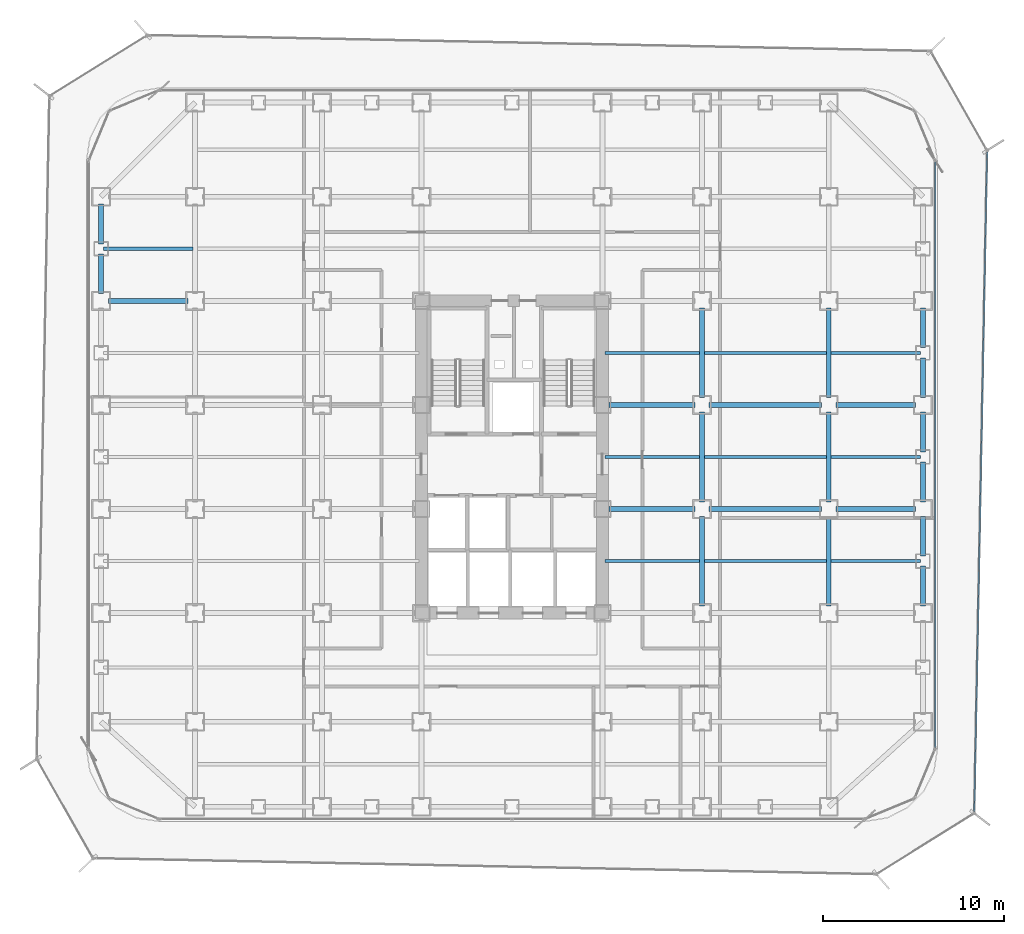
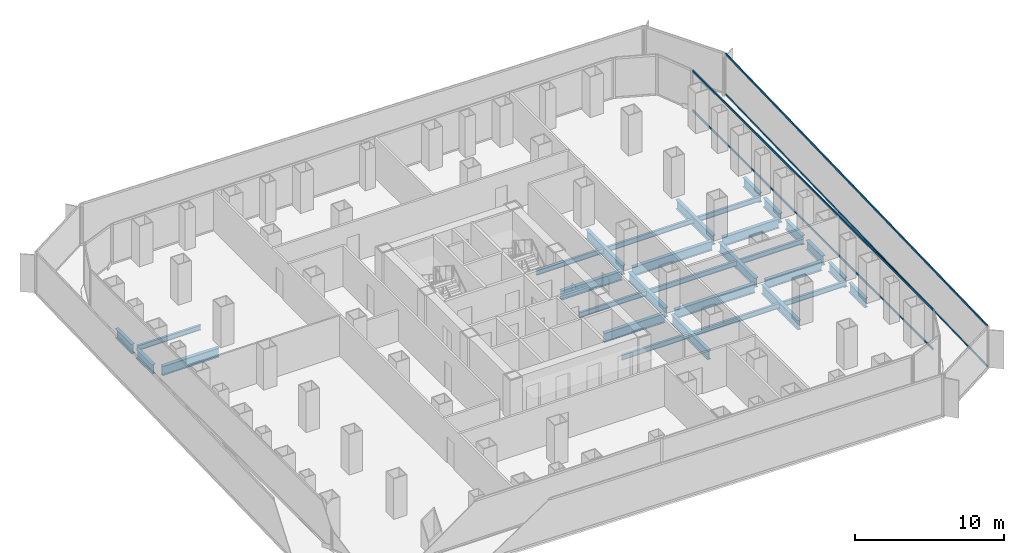
# One storey, part 9 of 21: 31 beams, 4 members, 2 elements without a shape of their own.
"""IFC4 building model written with IfcOpenShell, lengths in metres."""

from ifc_helpers import new_model, si_unit, direction, frame, origin, origin_2d, place, context, subcontext, project, spatial, hollow_rectangle, i_section, extrude, source, transform, mapped, material, layer, layer_set, material_profile, profile_set, type_object, element, aggregate, save


model = new_model("IFC4")

# Units and contexts
model_context = context("Model", 3, precision=1e-05, world=origin(), true_north=direction((0.0, 1.0)))
body_context = subcontext(model_context, "Body", "Model", "MODEL_VIEW")
ifc_project = project(units=[si_unit("LENGTHUNIT", "METRE"), si_unit("AREAUNIT", "SQUARE_METRE"), si_unit("VOLUMEUNIT", "CUBIC_METRE"), si_unit("PLANEANGLEUNIT", "RADIAN"), si_unit("MASSUNIT", "GRAM", prefix="KILO")], contexts=[model_context])

# Site, building, storey
site_placement = place(None, origin())
site = spatial("IfcSite", under=ifc_project, at=site_placement, CompositionType="ELEMENT")
building_placement = place(site_placement, origin())
building = spatial("IfcBuilding", under=site, at=building_placement, Name="Kolveth Station Tower", CompositionType="ELEMENT")
storey_placement = place(building_placement, frame((0.0, 0.0, 62.10009765625)))
storey = spatial("IfcBuildingStorey", under=building, at=storey_placement, Name="L16", CompositionType="ELEMENT", Elevation=62.10009765625)

# Beams
ifc_material_1 = material(Name="Steel S355", Category="steel")
ifc_material_profile_1 = material_profile(ifc_material_1, i_section(OverallWidth=0.26904296875, OverallDepth=0.77490234375, WebThickness=0.01708984375, FlangeThickness=0.0283203125, at=origin_2d()), Name="W760x220")
ifc_profile_set_1 = profile_set([ifc_material_profile_1], Name="Steel S355")
beam_type_1 = type_object("IfcBeamType", Name="Beam_SP1", PredefinedType="SPANDREL", material=ifc_profile_set_1)
shared_shape_1 = source(origin(), body_context, "Body", "SweptSolid", [
    extrude(i_section(OverallWidth=0.26904296875, OverallDepth=0.77490234375, WebThickness=0.01708984375, FlangeThickness=0.0283203125, at=origin_2d()), origin(), (0.0, 0.0, 1.0), 2.2001953125),
])
for number, where, z_axis, x_axis, name in (
    (1, (0.800048828125, 31.89990234375, -0.66748046875), (0.0, 1.0, 0.0), (-1.0, 0.0, 0.0), "L16 Perimeter Spandrel BM-L16-PW-10"),
    (2, (46.199951171875, 11.89990234375, -0.66748046875), (0.0, 1.0, 0.0), (-1.0, 0.0, 0.0), "L16 Perimeter Spandrel BM-L16-PE-3"),
    (3, (46.199951171875, 20.39990234375, -0.66748046875), (0.0, 1.0, 0.0), (-1.0, 0.0, 0.0), "L16 Perimeter Spandrel BM-L16-PE-6"),
    (4, (46.199951171875, 23.39990234375, -0.66748046875), (0.0, 1.0, 0.0), (-1.0, 0.0, 0.0), "L16 Perimeter Spandrel BM-L16-PE-7"),
):
    element("IfcBeam", number, at=place(storey_placement, frame(where, z_axis=z_axis, x_axis=x_axis)), inside=storey, type_object=beam_type_1, Name=name, PredefinedType="SPANDREL", context=body_context, shape_type="MappedRepresentation", body=[
        mapped(shared_shape_1, transform((0.0, 0.0, 0.0), x_axis=(1.0, 0.0, 0.0), y_axis=(0.0, 1.0, 0.0), z_axis=(0.0, 0.0, 1.0), scale=1.0)),
    ])
shared_shape_2 = source(origin(), body_context, "Body", "SweptSolid", [
    extrude(i_section(OverallWidth=0.26904296875, OverallDepth=0.77490234375, WebThickness=0.01708984375, FlangeThickness=0.0283203125, at=origin_2d()), origin(), (0.0, 0.0, 1.0), 2.190185546875),
])
for number, where, z_axis, x_axis, name in (
    (5, (0.800048828125, 29.14990234375, -0.66748046875), (0.0, 1.0, 0.0), (-1.0, 0.0, 0.0), "L16 Perimeter Spandrel BM-L16-PW-9"),
    (6, (46.199951171875, 14.659912109375, -0.66748046875), (0.0, 1.0, 0.0), (-1.0, 0.0, 0.0), "L16 Perimeter Spandrel BM-L16-PE-4"),
    (7, (46.199951171875, 17.64990234375, -0.66748046875), (0.0, 1.0, 0.0), (-1.0, 0.0, 0.0), "L16 Perimeter Spandrel BM-L16-PE-5"),
    (8, (46.199951171875, 26.159912109375, -0.66748046875), (0.0, 1.0, 0.0), (-1.0, 0.0, 0.0), "L16 Perimeter Spandrel BM-L16-PE-8"),
):
    element("IfcBeam", number, at=place(storey_placement, frame(where, z_axis=z_axis, x_axis=x_axis)), inside=storey, type_object=beam_type_1, Name=name, PredefinedType="SPANDREL", context=body_context, shape_type="MappedRepresentation", body=[
        mapped(shared_shape_2, transform((0.0, 0.0, 0.0), x_axis=(1.0, 0.0, 0.0), y_axis=(0.0, 1.0, 0.0), z_axis=(0.0, 0.0, 1.0), scale=1.0)),
    ])
ifc_material_profile_2 = material_profile(ifc_material_1, i_section(OverallWidth=0.26708984375, OverallDepth=0.76611328125, WebThickness=0.014892578125, FlangeThickness=0.023681640625, at=origin_2d()), Name="W760x185")
ifc_profile_set_2 = profile_set([ifc_material_profile_2], Name="Steel S355")
beam_type_2 = type_object("IfcBeamType", Name="Beam_B3", PredefinedType="BEAM", material=ifc_profile_set_2)
shared_shape_3 = source(origin(), body_context, "Body", "SweptSolid", [
    extrude(i_section(OverallWidth=0.26708984375, OverallDepth=0.76611328125, WebThickness=0.014892578125, FlangeThickness=0.023681640625, at=origin_2d()), origin(), (0.0, 0.0, 1.0), 4.400146484375),
])
for number, where, z_axis, x_axis, name in (
    (9, (41.39990234375, 17.25, -0.6630859375), (1.0, 0.0, 0.0), (0.0, 1.0, 0.0), "L16 Primary Girder BM-L16-GY172-7"),
    (10, (41.39990234375, 23.0, -0.6630859375), (1.0, 0.0, 0.0), (0.0, 1.0, 0.0), "L16 Primary Girder BM-L16-GY230-7"),
    (11, (1.199951171875, 28.75, -0.6630859375), (1.0, 0.0, 0.0), (0.0, 1.0, 0.0), "L16 Primary Girder BM-L16-GY287-1"),
):
    element("IfcBeam", number, at=place(storey_placement, frame(where, z_axis=z_axis, x_axis=x_axis)), inside=storey, type_object=beam_type_2, Name=name, PredefinedType="BEAM", context=body_context, shape_type="MappedRepresentation", body=[
        mapped(shared_shape_3, transform((0.0, 0.0, 0.0), x_axis=(1.0, 0.0, 0.0), y_axis=(0.0, 1.0, 0.0), z_axis=(0.0, 0.0, 1.0), scale=1.0)),
    ])
shared_shape_4 = source(origin(), body_context, "Body", "SweptSolid", [
    extrude(i_section(OverallWidth=0.26708984375, OverallDepth=0.76611328125, WebThickness=0.014892578125, FlangeThickness=0.023681640625, at=origin_2d()), origin(), (0.0, 0.0, 1.0), 6.2001953125),
])
for number, where, z_axis, x_axis, name in (
    (12, (34.39990234375, 17.25, -0.6630859375), (1.0, 0.0, 0.0), (0.0, 1.0, 0.0), "L16 Primary Girder BM-L16-GY172-6"),
    (13, (34.39990234375, 23.0, -0.6630859375), (1.0, 0.0, 0.0), (0.0, 1.0, 0.0), "L16 Primary Girder BM-L16-GY230-6"),
):
    element("IfcBeam", number, at=place(storey_placement, frame(where, z_axis=z_axis, x_axis=x_axis)), inside=storey, type_object=beam_type_2, Name=name, PredefinedType="BEAM", context=body_context, shape_type="MappedRepresentation", body=[
        mapped(shared_shape_4, transform((0.0, 0.0, 0.0), x_axis=(1.0, 0.0, 0.0), y_axis=(0.0, 1.0, 0.0), z_axis=(0.0, 0.0, 1.0), scale=1.0)),
    ])
shared_shape_5 = source(origin(), body_context, "Body", "SweptSolid", [
    extrude(i_section(OverallWidth=0.26708984375, OverallDepth=0.76611328125, WebThickness=0.014892578125, FlangeThickness=0.023681640625, at=origin_2d()), origin(), (0.0, 0.0, 1.0), 4.739990234375),
])
for number, where, z_axis, x_axis, name in (
    (14, (28.860107421875, 17.25, -0.6630859375), (1.0, 0.0, 0.0), (0.0, 1.0, 0.0), "L16 Primary Girder BM-L16-GY172-5"),
    (15, (28.860107421875, 23.0, -0.6630859375), (1.0, 0.0, 0.0), (0.0, 1.0, 0.0), "L16 Primary Girder BM-L16-GY230-5"),
):
    element("IfcBeam", number, at=place(storey_placement, frame(where, z_axis=z_axis, x_axis=x_axis)), inside=storey, type_object=beam_type_2, Name=name, PredefinedType="BEAM", context=body_context, shape_type="MappedRepresentation", body=[
        mapped(shared_shape_5, transform((0.0, 0.0, 0.0), x_axis=(1.0, 0.0, 0.0), y_axis=(0.0, 1.0, 0.0), z_axis=(0.0, 0.0, 1.0), scale=1.0)),
    ])
shared_shape_6 = source(origin(), body_context, "Body", "SweptSolid", [
    extrude(i_section(OverallWidth=0.26708984375, OverallDepth=0.76611328125, WebThickness=0.014892578125, FlangeThickness=0.023681640625, at=origin_2d()), origin(), (0.0, 0.0, 1.0), 4.9501953125),
])
for number, where, z_axis, x_axis, name in (
    (16, (34.0, 11.89990234375, -0.6630859375), (0.0, 1.0, 0.0), (-1.0, 0.0, 0.0), "L16 Primary Girder BM-L16-GX340-3"),
    (17, (34.0, 17.64990234375, -0.6630859375), (0.0, 1.0, 0.0), (-1.0, 0.0, 0.0), "L16 Primary Girder BM-L16-GX340-4"),
    (18, (34.0, 23.39990234375, -0.6630859375), (0.0, 1.0, 0.0), (-1.0, 0.0, 0.0), "L16 Primary Girder BM-L16-GX340-5"),
    (19, (41.0, 11.89990234375, -0.6630859375), (0.0, 1.0, 0.0), (-1.0, 0.0, 0.0), "L16 Primary Girder BM-L16-GX410-3"),
    (20, (41.0, 17.64990234375, -0.6630859375), (0.0, 1.0, 0.0), (-1.0, 0.0, 0.0), "L16 Primary Girder BM-L16-GX410-4"),
    (21, (41.0, 23.39990234375, -0.6630859375), (0.0, 1.0, 0.0), (-1.0, 0.0, 0.0), "L16 Primary Girder BM-L16-GX410-5"),
):
    element("IfcBeam", number, at=place(storey_placement, frame(where, z_axis=z_axis, x_axis=x_axis)), inside=storey, type_object=beam_type_2, Name=name, PredefinedType="BEAM", context=body_context, shape_type="MappedRepresentation", body=[
        mapped(shared_shape_6, transform((0.0, 0.0, 0.0), x_axis=(1.0, 0.0, 0.0), y_axis=(0.0, 1.0, 0.0), z_axis=(0.0, 0.0, 1.0), scale=1.0)),
    ])
ifc_material_profile_3 = material_profile(ifc_material_1, i_section(OverallWidth=0.177978515625, OverallDepth=0.406982421875, WebThickness=0.0078125, FlangeThickness=0.0126953125, at=origin_2d()), Name="W410x60")
ifc_profile_set_3 = profile_set([ifc_material_profile_3], Name="Steel S355")
beam_type_3 = type_object("IfcBeamType", Name="Beam_J1", PredefinedType="JOIST", material=ifc_profile_set_3)
shared_shape_7 = source(origin(), body_context, "Body", "SweptSolid", [
    extrude(i_section(OverallWidth=0.177978515625, OverallDepth=0.406982421875, WebThickness=0.0078125, FlangeThickness=0.0126953125, at=origin_2d()), origin(), (0.0, 0.0, 1.0), 4.935791015625),
])
for number, where, z_axis, x_axis, name in (
    (22, (0.9326171875, 31.625, -0.483642578125), (1.0, 0.0, 0.0), (0.0, 1.0, 0.0), "L16 Secondary Joist JST-L16-1-6"),
    (23, (41.131591796875, 14.375, -0.483642578125), (1.0, 0.0, 0.0), (0.0, 1.0, 0.0), "L16 Secondary Joist JST-L16-7-3"),
    (24, (41.131591796875, 20.125, -0.483642578125), (1.0, 0.0, 0.0), (0.0, 1.0, 0.0), "L16 Secondary Joist JST-L16-7-4"),
    (25, (41.131591796875, 25.875, -0.483642578125), (1.0, 0.0, 0.0), (0.0, 1.0, 0.0), "L16 Secondary Joist JST-L16-7-5"),
):
    element("IfcBeam", number, at=place(storey_placement, frame(where, z_axis=z_axis, x_axis=x_axis)), inside=storey, type_object=beam_type_3, Name=name, PredefinedType="JOIST", context=body_context, shape_type="MappedRepresentation", body=[
        mapped(shared_shape_7, transform((0.0, 0.0, 0.0), x_axis=(1.0, 0.0, 0.0), y_axis=(0.0, 1.0, 0.0), z_axis=(0.0, 0.0, 1.0), scale=1.0)),
    ])
shared_shape_8 = source(origin(), body_context, "Body", "SweptSolid", [
    extrude(i_section(OverallWidth=0.177978515625, OverallDepth=0.406982421875, WebThickness=0.0078125, FlangeThickness=0.0126953125, at=origin_2d()), origin(), (0.0, 0.0, 1.0), 6.73681640625),
])
for number, where, z_axis, x_axis, name in (
    (26, (34.131591796875, 14.375, -0.483642578125), (1.0, 0.0, 0.0), (0.0, 1.0, 0.0), "L16 Secondary Joist JST-L16-6-3"),
    (27, (34.131591796875, 20.125, -0.483642578125), (1.0, 0.0, 0.0), (0.0, 1.0, 0.0), "L16 Secondary Joist JST-L16-6-4"),
    (28, (34.131591796875, 25.875, -0.483642578125), (1.0, 0.0, 0.0), (0.0, 1.0, 0.0), "L16 Secondary Joist JST-L16-6-5"),
):
    element("IfcBeam", number, at=place(storey_placement, frame(where, z_axis=z_axis, x_axis=x_axis)), inside=storey, type_object=beam_type_3, Name=name, PredefinedType="JOIST", context=body_context, shape_type="MappedRepresentation", body=[
        mapped(shared_shape_8, transform((0.0, 0.0, 0.0), x_axis=(1.0, 0.0, 0.0), y_axis=(0.0, 1.0, 0.0), z_axis=(0.0, 0.0, 1.0), scale=1.0)),
    ])
shared_shape_9 = source(origin(), body_context, "Body", "SweptSolid", [
    extrude(i_section(OverallWidth=0.177978515625, OverallDepth=0.406982421875, WebThickness=0.0078125, FlangeThickness=0.0126953125, at=origin_2d()), origin(), (0.0, 0.0, 1.0), 5.23681640625),
])
for number, where, z_axis, x_axis, name in (
    (29, (28.631591796875, 14.375, -0.483642578125), (1.0, 0.0, 0.0), (0.0, 1.0, 0.0), "L16 Secondary Joist JST-L16-5-3"),
    (30, (28.631591796875, 20.125, -0.483642578125), (1.0, 0.0, 0.0), (0.0, 1.0, 0.0), "L16 Secondary Joist JST-L16-5-4"),
    (31, (28.631591796875, 25.875, -0.483642578125), (1.0, 0.0, 0.0), (0.0, 1.0, 0.0), "L16 Secondary Joist JST-L16-5-5"),
):
    element("IfcBeam", number, at=place(storey_placement, frame(where, z_axis=z_axis, x_axis=x_axis)), inside=storey, type_object=beam_type_3, Name=name, PredefinedType="JOIST", context=body_context, shape_type="MappedRepresentation", body=[
        mapped(shared_shape_9, transform((0.0, 0.0, 0.0), x_axis=(1.0, 0.0, 0.0), y_axis=(0.0, 1.0, 0.0), z_axis=(0.0, 0.0, 1.0), scale=1.0)),
    ])

# Curtain wall, members
ifc_material_2 = material(Name="Aluminium 6063-T6 and low-E dark glass", Category="aluminium")
ifc_layer_1 = layer(ifc_material_2, 0.179931640625)
ifc_layer_set_1 = layer_set([ifc_layer_1], Name="Aluminium 6063-T6 and low-E dark glass")
curtain_wall_type_1 = type_object("IfcCurtainWallType", Name="CurtainWall_CW-Z1", PredefinedType="NOTDEFINED", material=ifc_layer_set_1)
curtain_wall_1_placement = place(storey_placement, origin())
curtain_wall_1 = element("IfcCurtainWall", 32, at=curtain_wall_1_placement, inside=storey, type_object=curtain_wall_type_1, Name="L16 Inner Thermal Curtain Wall 3", PredefinedType="NOTDEFINED")
ifc_material_3 = material(Name="Black anodized aluminium 6063-T6", Category="aluminium")
ifc_material_profile_4 = material_profile(ifc_material_3, hollow_rectangle(XDim=0.074951171875, YDim=0.159912109375, WallThickness=0.0048828125, at=origin_2d()), Name="ALU-75x160x5")
ifc_profile_set_4 = profile_set([ifc_material_profile_4], Name="Black anodized aluminium 6063-T6")
member_type_1 = type_object("IfcMemberType", Name="Transom_TR1", PredefinedType="USERDEFINED", material=ifc_profile_set_4)
shared_shape_10 = source(origin(), body_context, "Body", "SweptSolid", [
    extrude(hollow_rectangle(XDim=0.074951171875, YDim=0.159912109375, WallThickness=0.0048828125, at=origin_2d()), origin(), (0.0, 0.0, 1.0), 32.35009765625),
])
member_1_placement = place(storey_placement, frame((46.8798828125, 4.074951171875, 0.037353515625), z_axis=(0.0, 1.0, 0.0), x_axis=(-1.0, 0.0, 0.0)))
member_1 = element("IfcMember", 33, at=member_1_placement, type_object=member_type_1, Name="CW-Z1 transom 1.1", ObjectType="TRANSOM", PredefinedType="USERDEFINED", context=body_context, shape_type="MappedRepresentation", body=[
    mapped(shared_shape_10, transform((0.0, 0.0, 0.0), x_axis=(1.0, 0.0, 0.0), y_axis=(0.0, 1.0, 0.0), z_axis=(0.0, 0.0, 1.0), scale=1.0)),
])
member_2_placement = place(storey_placement, frame((46.8798828125, 4.074951171875, 3.282470703125), z_axis=(0.0, 1.0, 0.0), x_axis=(-1.0, 0.0, 0.0)))
member_2 = element("IfcMember", 34, at=member_2_placement, type_object=member_type_1, Name="CW-Z1 transom 1.2", ObjectType="TRANSOM", PredefinedType="USERDEFINED", context=body_context, shape_type="MappedRepresentation", body=[
    mapped(shared_shape_10, transform((0.0, 0.0, 0.0), x_axis=(1.0, 0.0, 0.0), y_axis=(0.0, 1.0, 0.0), z_axis=(0.0, 0.0, 1.0), scale=1.0)),
])
aggregate(curtain_wall_1, [member_1, member_2])

ifc_material_4 = material(Name="Black anodized aluminium 6063-T6 and dark solar glass", Category="aluminium")
ifc_layer_2 = layer(ifc_material_4, 0.159912109375)
ifc_layer_set_2 = layer_set([ifc_layer_2], Name="Black anodized aluminium 6063-T6 and dark solar glass")
curtain_wall_type_2 = type_object("IfcCurtainWallType", Name="OUTER SKIN CW-OS", PredefinedType="NOTDEFINED", material=ifc_layer_set_2)
curtain_wall_2_placement = place(storey_placement, origin())
curtain_wall_2 = element("IfcCurtainWall", 35, at=curtain_wall_2_placement, inside=storey, type_object=curtain_wall_type_2, Name="L16 Outer Ventilated Skin Curtain Wall 2", PredefinedType="NOTDEFINED")
ifc_material_profile_5 = material_profile(ifc_material_3, hollow_rectangle(XDim=0.080078125, YDim=0.14990234375, WallThickness=0.0048828125, at=origin_2d()), Name="ALU-80x150x5")
ifc_profile_set_5 = profile_set([ifc_material_profile_5], Name="Black anodized aluminium 6063-T6")
member_type_2 = type_object("IfcMemberType", Name="Transom_TR-OS", PredefinedType="USERDEFINED", material=ifc_profile_set_5)
shared_shape_11 = source(origin(), body_context, "Body", "SweptSolid", [
    extrude(hollow_rectangle(XDim=0.080078125, YDim=0.14990234375, WallThickness=0.0048828125, at=origin_2d()), origin(), (0.0, 0.0, 1.0), 36.4404296875),
])
member_3_placement = place(storey_placement, frame((49.04296875, 0.531494140625, 0.039794921875), z_axis=(0.019435858382, 0.999811105864, 0.0), x_axis=(-0.999811105864, 0.019435858382, 0.0)))
member_3 = element("IfcMember", 36, at=member_3_placement, type_object=member_type_2, Name="CW-OS transom 1.1", ObjectType="TRANSOM", PredefinedType="USERDEFINED", context=body_context, shape_type="MappedRepresentation", body=[
    mapped(shared_shape_11, transform((0.0, 0.0, 0.0), x_axis=(1.0, 0.0, 0.0), y_axis=(0.0, 1.0, 0.0), z_axis=(0.0, 0.0, 1.0), scale=1.0)),
])
member_4_placement = place(storey_placement, frame((49.04296875, 0.531494140625, 3.349853515625), z_axis=(0.019435858382, 0.999811105864, 0.0), x_axis=(-0.999811105864, 0.019435858382, 0.0)))
member_4 = element("IfcMember", 37, at=member_4_placement, type_object=member_type_2, Name="CW-OS transom 1.2", ObjectType="TRANSOM", PredefinedType="USERDEFINED", context=body_context, shape_type="MappedRepresentation", body=[
    mapped(shared_shape_11, transform((0.0, 0.0, 0.0), x_axis=(1.0, 0.0, 0.0), y_axis=(0.0, 1.0, 0.0), z_axis=(0.0, 0.0, 1.0), scale=1.0)),
])
aggregate(curtain_wall_2, [member_3, member_4])

save(model, "model.ifc")
